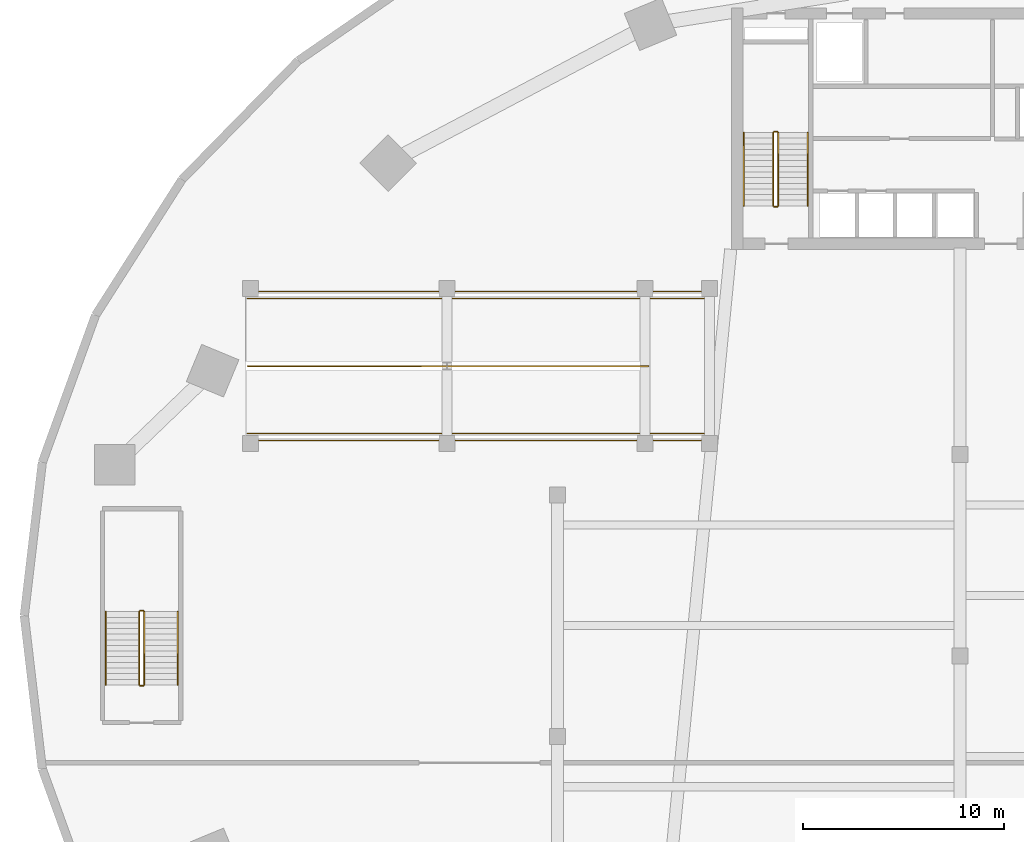
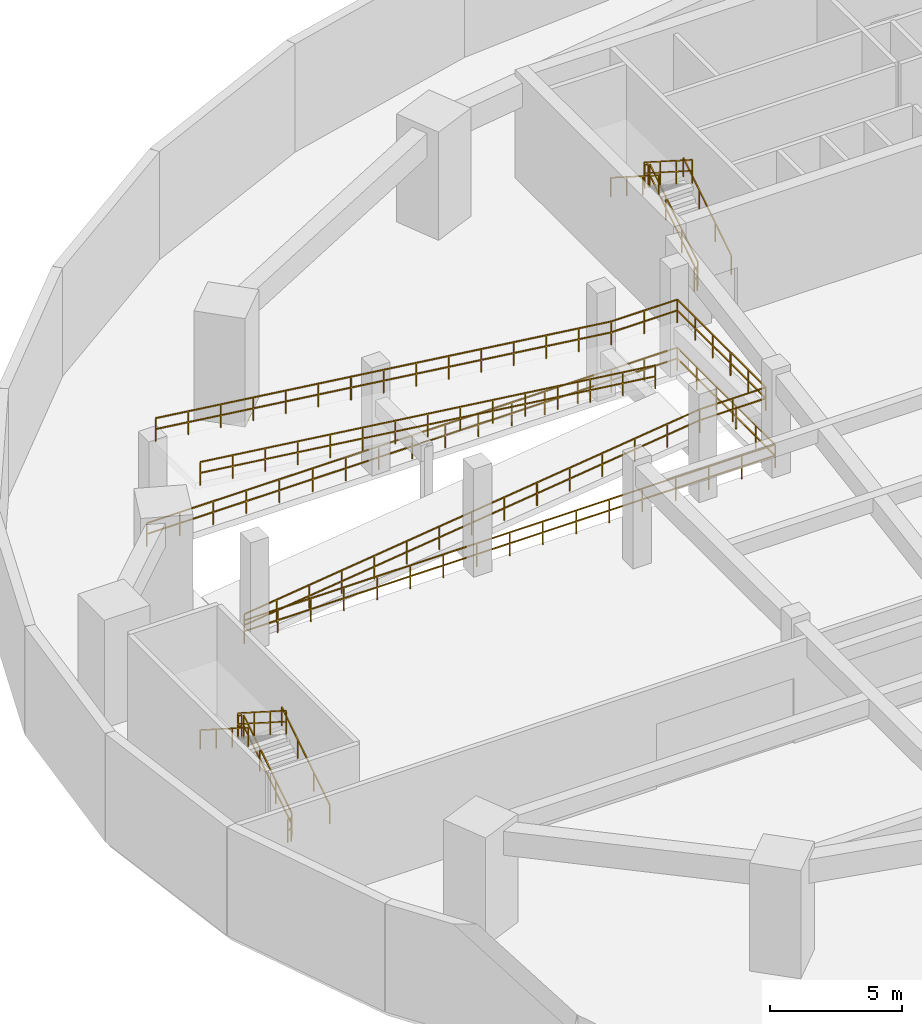
# One storey, part 9 of 10: 15 railings.
"""IFC4 building model written with IfcOpenShell, lengths in metres."""

from ifc_helpers import new_model, si_unit, direction, frame, origin, origin_2d, place, context, subcontext, project, spatial, rectangle, extrude, material, type_object, element, save


model = new_model("IFC4")

# Units and contexts
model_context = context("Model", 3, precision=1e-05, world=origin(), true_north=direction((0.0, 1.0)))
body_context = subcontext(model_context, "Body", "Model", "MODEL_VIEW")
ifc_project = project(units=[si_unit("LENGTHUNIT", "METRE"), si_unit("AREAUNIT", "SQUARE_METRE"), si_unit("VOLUMEUNIT", "CUBIC_METRE"), si_unit("PLANEANGLEUNIT", "RADIAN"), si_unit("MASSUNIT", "GRAM", prefix="KILO")], contexts=[model_context])

# Site, building, storey
site_placement = place(None, origin())
site = spatial("IfcSite", under=ifc_project, at=site_placement, CompositionType="ELEMENT")
building_placement = place(site_placement, origin())
building = spatial("IfcBuilding", under=site, at=building_placement, Name="Breltana Convention Tower", CompositionType="ELEMENT")
storey_placement = place(building_placement, frame((0.0, 0.0, -5.0)))
storey = spatial("IfcBuildingStorey", under=building, at=storey_placement, Name="B01", CompositionType="ELEMENT", Elevation=-5.0)

# Railings
ifc_material_1 = material(Name="Steel S275 Painted", Category="steel")
railing_type_1 = type_object("IfcRailingType", Name="RL-STAIR-GUARD-1100", PredefinedType="GUARDRAIL", material=ifc_material_1)
railing_1_placement = place(storey_placement, frame((38.9599609375, 62.360107421875, 0.178466796875)))
element("IfcRailing", 1, at=railing_1_placement, inside=storey, type_object=railing_type_1, Name="B01 ST-1 stair guard 1", PredefinedType="GUARDRAIL", context=body_context, shape_type="SweptSolid", body=[
    extrude(rectangle(XDim=0.048095703125, YDim=0.048095703125, at=origin_2d()), frame((0.0, 0.0, 1.076171875), z_axis=(0.0, 0.843111507901, 0.53773877045), x_axis=(-1.0, 0.0, 0.0)), (0.0, 0.0, 1.0), 4.317138671875),
    extrude(rectangle(XDim=0.048095703125, YDim=0.048095703125, at=origin_2d()), frame((0.0, 0.0, 0.572021484375), z_axis=(0.0, 0.843111507901, 0.53773877045), x_axis=(-1.0, 0.0, 0.0)), (0.0, 0.0, 1.0), 4.317138671875),
    extrude(rectangle(XDim=0.0419921875, YDim=0.0419921875, at=origin_2d()), origin(), (0.0, 0.0, 1.0), 1.052001953125),
    extrude(rectangle(XDim=0.0419921875, YDim=0.0419921875, at=origin_2d()), frame((0.0, 1.21337890625, 0.77392578125)), (0.0, 0.0, 1.0), 1.052001953125),
    extrude(rectangle(XDim=0.0419921875, YDim=0.0419921875, at=origin_2d()), frame((0.0, 2.426513671875, 1.547607421875)), (0.0, 0.0, 1.0), 1.052001953125),
    extrude(rectangle(XDim=0.0419921875, YDim=0.0419921875, at=origin_2d()), frame((0.0, 3.639892578125, 2.321533203125)), (0.0, 0.0, 1.0), 1.052001953125),
])
railing_2_placement = place(storey_placement, frame((38.909912109375, 66.050048828125, 2.5)))
element("IfcRailing", 2, at=railing_2_placement, inside=storey, type_object=railing_type_1, Name="B01 ST-1 stair guard 2", PredefinedType="GUARDRAIL", context=body_context, shape_type="SweptSolid", body=[
    extrude(rectangle(XDim=0.048095703125, YDim=0.048095703125, at=origin_2d()), frame((0.0, 0.0, 1.076171875), z_axis=(-1.0, 0.0, 0.0), x_axis=(0.0, -1.0, 0.0)), (0.0, 0.0, 1.0), 0.14990234375),
    extrude(rectangle(XDim=0.048095703125, YDim=0.048095703125, at=origin_2d()), frame((0.0, 0.0, 0.572021484375), z_axis=(-1.0, 0.0, 0.0), x_axis=(0.0, -1.0, 0.0)), (0.0, 0.0, 1.0), 0.14990234375),
    extrude(rectangle(XDim=0.0419921875, YDim=0.0419921875, at=origin_2d()), origin(), (0.0, 0.0, 1.0), 1.052001953125),
    extrude(rectangle(XDim=0.0419921875, YDim=0.0419921875, at=origin_2d()), frame((-0.14990234375, 0.0, 0.0)), (0.0, 0.0, 1.0), 1.052001953125),
])
railing_3_placement = place(storey_placement, frame((38.7099609375, 66.0, 2.678466796875)))
element("IfcRailing", 3, at=railing_3_placement, inside=storey, type_object=railing_type_1, Name="B01 ST-1 stair guard 3", PredefinedType="GUARDRAIL", context=body_context, shape_type="SweptSolid", body=[
    extrude(rectangle(XDim=0.048095703125, YDim=0.048095703125, at=origin_2d()), frame((0.0, 0.0, 1.076171875), z_axis=(0.0, -0.843111507901, 0.53773877045), x_axis=(1.0, 0.0, 0.0)), (0.0, 0.0, 1.0), 4.317138671875),
    extrude(rectangle(XDim=0.048095703125, YDim=0.048095703125, at=origin_2d()), frame((0.0, 0.0, 0.572021484375), z_axis=(0.0, -0.843111507901, 0.53773877045), x_axis=(1.0, 0.0, 0.0)), (0.0, 0.0, 1.0), 4.317138671875),
    extrude(rectangle(XDim=0.0419921875, YDim=0.0419921875, at=origin_2d()), origin(), (0.0, 0.0, 1.0), 1.052001953125),
    extrude(rectangle(XDim=0.0419921875, YDim=0.0419921875, at=origin_2d()), frame((0.0, -1.21337890625, 0.77392578125)), (0.0, 0.0, 1.0), 1.052001953125),
    extrude(rectangle(XDim=0.0419921875, YDim=0.0419921875, at=origin_2d()), frame((0.0, -2.426513671875, 1.547607421875)), (0.0, 0.0, 1.0), 1.052001953125),
    extrude(rectangle(XDim=0.0419921875, YDim=0.0419921875, at=origin_2d()), frame((0.0, -3.639892578125, 2.321533203125)), (0.0, 0.0, 1.0), 1.052001953125),
])
railing_4_placement = place(storey_placement, frame((38.909912109375, 62.31005859375, 0.0)))
element("IfcRailing", 4, at=railing_4_placement, inside=storey, type_object=railing_type_1, Name="B01 ST-1 stair guard 4", PredefinedType="GUARDRAIL", context=body_context, shape_type="SweptSolid", body=[
    extrude(rectangle(XDim=0.048095703125, YDim=0.048095703125, at=origin_2d()), frame((0.0, 0.0, 1.076171875), z_axis=(-1.0, 0.0, 0.0), x_axis=(0.0, -1.0, 0.0)), (0.0, 0.0, 1.0), 0.14990234375),
    extrude(rectangle(XDim=0.048095703125, YDim=0.048095703125, at=origin_2d()), frame((0.0, 0.0, 0.572021484375), z_axis=(-1.0, 0.0, 0.0), x_axis=(0.0, -1.0, 0.0)), (0.0, 0.0, 1.0), 0.14990234375),
    extrude(rectangle(XDim=0.0419921875, YDim=0.0419921875, at=origin_2d()), origin(), (0.0, 0.0, 1.0), 1.052001953125),
    extrude(rectangle(XDim=0.0419921875, YDim=0.0419921875, at=origin_2d()), frame((-0.14990234375, 0.0, 0.0)), (0.0, 0.0, 1.0), 1.052001953125),
])
railing_5_placement = place(storey_placement, frame((7.4599609375, 38.56005859375, 0.178466796875)))
element("IfcRailing", 5, at=railing_5_placement, inside=storey, type_object=railing_type_1, Name="B01 ST-3 stair guard 1", PredefinedType="GUARDRAIL", context=body_context, shape_type="SweptSolid", body=[
    extrude(rectangle(XDim=0.048095703125, YDim=0.048095703125, at=origin_2d()), frame((0.0, 0.0, 1.076171875), z_axis=(0.0, 0.843111507901, 0.53773877045), x_axis=(-1.0, 0.0, 0.0)), (0.0, 0.0, 1.0), 4.317138671875),
    extrude(rectangle(XDim=0.048095703125, YDim=0.048095703125, at=origin_2d()), frame((0.0, 0.0, 0.572021484375), z_axis=(0.0, 0.843111507901, 0.53773877045), x_axis=(-1.0, 0.0, 0.0)), (0.0, 0.0, 1.0), 4.317138671875),
    extrude(rectangle(XDim=0.0419921875, YDim=0.0419921875, at=origin_2d()), origin(), (0.0, 0.0, 1.0), 1.052001953125),
    extrude(rectangle(XDim=0.0419921875, YDim=0.0419921875, at=origin_2d()), frame((0.0, 1.21337890625, 0.77392578125)), (0.0, 0.0, 1.0), 1.052001953125),
    extrude(rectangle(XDim=0.0419921875, YDim=0.0419921875, at=origin_2d()), frame((0.0, 2.426513671875, 1.547607421875)), (0.0, 0.0, 1.0), 1.052001953125),
    extrude(rectangle(XDim=0.0419921875, YDim=0.0419921875, at=origin_2d()), frame((0.0, 3.639892578125, 2.321533203125)), (0.0, 0.0, 1.0), 1.052001953125),
])
railing_6_placement = place(storey_placement, frame((7.409912109375, 42.25, 2.5)))
element("IfcRailing", 6, at=railing_6_placement, inside=storey, type_object=railing_type_1, Name="B01 ST-3 stair guard 2", PredefinedType="GUARDRAIL", context=body_context, shape_type="SweptSolid", body=[
    extrude(rectangle(XDim=0.048095703125, YDim=0.048095703125, at=origin_2d()), frame((0.0, 0.0, 1.076171875), z_axis=(-1.0, 0.0, 0.0), x_axis=(0.0, -1.0, 0.0)), (0.0, 0.0, 1.0), 0.14990234375),
    extrude(rectangle(XDim=0.048095703125, YDim=0.048095703125, at=origin_2d()), frame((0.0, 0.0, 0.572021484375), z_axis=(-1.0, 0.0, 0.0), x_axis=(0.0, -1.0, 0.0)), (0.0, 0.0, 1.0), 0.14990234375),
    extrude(rectangle(XDim=0.0419921875, YDim=0.0419921875, at=origin_2d()), origin(), (0.0, 0.0, 1.0), 1.052001953125),
    extrude(rectangle(XDim=0.0419921875, YDim=0.0419921875, at=origin_2d()), frame((-0.14990234375, 0.0, 0.0)), (0.0, 0.0, 1.0), 1.052001953125),
])
railing_7_placement = place(storey_placement, frame((7.2099609375, 42.199951171875, 2.678466796875)))
element("IfcRailing", 7, at=railing_7_placement, inside=storey, type_object=railing_type_1, Name="B01 ST-3 stair guard 3", PredefinedType="GUARDRAIL", context=body_context, shape_type="SweptSolid", body=[
    extrude(rectangle(XDim=0.048095703125, YDim=0.048095703125, at=origin_2d()), frame((0.0, 0.0, 1.076171875), z_axis=(0.0, -0.843111507901, 0.53773877045), x_axis=(1.0, 0.0, 0.0)), (0.0, 0.0, 1.0), 4.317138671875),
    extrude(rectangle(XDim=0.048095703125, YDim=0.048095703125, at=origin_2d()), frame((0.0, 0.0, 0.572021484375), z_axis=(0.0, -0.843111507901, 0.53773877045), x_axis=(1.0, 0.0, 0.0)), (0.0, 0.0, 1.0), 4.317138671875),
    extrude(rectangle(XDim=0.0419921875, YDim=0.0419921875, at=origin_2d()), origin(), (0.0, 0.0, 1.0), 1.052001953125),
    extrude(rectangle(XDim=0.0419921875, YDim=0.0419921875, at=origin_2d()), frame((0.0, -1.21337890625, 0.77392578125)), (0.0, 0.0, 1.0), 1.052001953125),
    extrude(rectangle(XDim=0.0419921875, YDim=0.0419921875, at=origin_2d()), frame((0.0, -2.426513671875, 1.547607421875)), (0.0, 0.0, 1.0), 1.052001953125),
    extrude(rectangle(XDim=0.0419921875, YDim=0.0419921875, at=origin_2d()), frame((0.0, -3.639892578125, 2.321533203125)), (0.0, 0.0, 1.0), 1.052001953125),
])
railing_8_placement = place(storey_placement, frame((7.409912109375, 38.510009765625, 0.0)))
element("IfcRailing", 8, at=railing_8_placement, inside=storey, type_object=railing_type_1, Name="B01 ST-3 stair guard 4", PredefinedType="GUARDRAIL", context=body_context, shape_type="SweptSolid", body=[
    extrude(rectangle(XDim=0.048095703125, YDim=0.048095703125, at=origin_2d()), frame((0.0, 0.0, 1.076171875), z_axis=(-1.0, 0.0, 0.0), x_axis=(0.0, -1.0, 0.0)), (0.0, 0.0, 1.0), 0.14990234375),
    extrude(rectangle(XDim=0.048095703125, YDim=0.048095703125, at=origin_2d()), frame((0.0, 0.0, 0.572021484375), z_axis=(-1.0, 0.0, 0.0), x_axis=(0.0, -1.0, 0.0)), (0.0, 0.0, 1.0), 0.14990234375),
    extrude(rectangle(XDim=0.0419921875, YDim=0.0419921875, at=origin_2d()), origin(), (0.0, 0.0, 1.0), 1.052001953125),
    extrude(rectangle(XDim=0.0419921875, YDim=0.0419921875, at=origin_2d()), frame((-0.14990234375, 0.0, 0.0)), (0.0, 0.0, 1.0), 1.052001953125),
])
railing_9_placement = place(storey_placement, frame((12.60009765625, 54.39990234375, 5.0)))
element("IfcRailing", 9, at=railing_9_placement, inside=storey, type_object=railing_type_1, Name="B01 ramp center divider guardrail", PredefinedType="GUARDRAIL", context=body_context, shape_type="SweptSolid", body=[
    extrude(rectangle(XDim=0.048095703125, YDim=0.048095703125, at=origin_2d()), frame((0.0, 0.0, 1.076171875), z_axis=(0.992200904625, 0.0, -0.124648966548), x_axis=(0.0, 1.0, 0.0)), (0.0, 0.0, 1.0), 20.056396484375),
    extrude(rectangle(XDim=0.048095703125, YDim=0.048095703125, at=origin_2d()), frame((0.0, 0.0, 0.572021484375), z_axis=(0.992200904625, 0.0, -0.124648966548), x_axis=(0.0, 1.0, 0.0)), (0.0, 0.0, 1.0), 20.056396484375),
    extrude(rectangle(XDim=0.0419921875, YDim=0.0419921875, at=origin_2d()), origin(), (0.0, 0.0, 1.0), 1.052001953125),
    extrude(rectangle(XDim=0.0419921875, YDim=0.0419921875, at=origin_2d()), frame((1.42138671875, 0.0, -0.178466796875)), (0.0, 0.0, 1.0), 1.052001953125),
    extrude(rectangle(XDim=0.0419921875, YDim=0.0419921875, at=origin_2d()), frame((2.8427734375, 0.0, -0.357177734375)), (0.0, 0.0, 1.0), 1.052001953125),
    extrude(rectangle(XDim=0.0419921875, YDim=0.0419921875, at=origin_2d()), frame((4.26416015625, 0.0, -0.53564453125)), (0.0, 0.0, 1.0), 1.052001953125),
    extrude(rectangle(XDim=0.0419921875, YDim=0.0419921875, at=origin_2d()), frame((5.685791015625, 0.0, -0.71435546875)), (0.0, 0.0, 1.0), 1.052001953125),
    extrude(rectangle(XDim=0.0419921875, YDim=0.0419921875, at=origin_2d()), frame((7.107177734375, 0.0, -0.892822265625)), (0.0, 0.0, 1.0), 1.052001953125),
    extrude(rectangle(XDim=0.0419921875, YDim=0.0419921875, at=origin_2d()), frame((8.528564453125, 0.0, -1.071533203125)), (0.0, 0.0, 1.0), 1.052001953125),
    extrude(rectangle(XDim=0.0419921875, YDim=0.0419921875, at=origin_2d()), frame((9.949951171875, 0.0, -1.25)), (0.0, 0.0, 1.0), 1.052001953125),
    extrude(rectangle(XDim=0.0419921875, YDim=0.0419921875, at=origin_2d()), frame((11.371337890625, 0.0, -1.428466796875)), (0.0, 0.0, 1.0), 1.052001953125),
    extrude(rectangle(XDim=0.0419921875, YDim=0.0419921875, at=origin_2d()), frame((12.792724609375, 0.0, -1.607177734375)), (0.0, 0.0, 1.0), 1.052001953125),
    extrude(rectangle(XDim=0.0419921875, YDim=0.0419921875, at=origin_2d()), frame((14.214111328125, 0.0, -1.78564453125)), (0.0, 0.0, 1.0), 1.052001953125),
    extrude(rectangle(XDim=0.0419921875, YDim=0.0419921875, at=origin_2d()), frame((15.6357421875, 0.0, -1.96435546875)), (0.0, 0.0, 1.0), 1.052001953125),
    extrude(rectangle(XDim=0.0419921875, YDim=0.0419921875, at=origin_2d()), frame((17.05712890625, 0.0, -2.142822265625)), (0.0, 0.0, 1.0), 1.052001953125),
    extrude(rectangle(XDim=0.0419921875, YDim=0.0419921875, at=origin_2d()), frame((18.478515625, 0.0, -2.321533203125)), (0.0, 0.0, 1.0), 1.052001953125),
    extrude(rectangle(XDim=0.0419921875, YDim=0.0419921875, at=origin_2d()), frame((19.89990234375, 0.0, -2.5)), (0.0, 0.0, 1.0), 1.052001953125),
])
railing_10_placement = place(storey_placement, frame((12.60009765625, 57.75, 5.0)))
element("IfcRailing", 10, at=railing_10_placement, inside=storey, type_object=railing_type_1, Name="B01 ramp outer edge safety guardrail", PredefinedType="GUARDRAIL", context=body_context, shape_type="SweptSolid", body=[
    extrude(rectangle(XDim=0.048095703125, YDim=0.048095703125, at=origin_2d()), frame((0.0, 0.0, 1.076171875), z_axis=(0.992200904625, 0.0, -0.124648966548), x_axis=(0.0, 1.0, 0.0)), (0.0, 0.0, 1.0), 20.056396484375),
    extrude(rectangle(XDim=0.048095703125, YDim=0.048095703125, at=origin_2d()), frame((0.0, 0.0, 0.572021484375), z_axis=(0.992200904625, 0.0, -0.124648966548), x_axis=(0.0, 1.0, 0.0)), (0.0, 0.0, 1.0), 20.056396484375),
    extrude(rectangle(XDim=0.048095703125, YDim=0.048095703125, at=origin_2d()), frame((19.89990234375, 0.0, -1.423828125), z_axis=(1.0, 0.0, 0.0), x_axis=(0.0, 1.0, 0.0)), (0.0, 0.0, 1.0), 2.89990234375),
    extrude(rectangle(XDim=0.048095703125, YDim=0.048095703125, at=origin_2d()), frame((19.89990234375, 0.0, -1.927978515625), z_axis=(1.0, 0.0, 0.0), x_axis=(0.0, 1.0, 0.0)), (0.0, 0.0, 1.0), 2.89990234375),
    extrude(rectangle(XDim=0.048095703125, YDim=0.048095703125, at=origin_2d()), frame((22.7998046875, 0.0, -1.423828125), z_axis=(0.0, -1.0, 0.0), x_axis=(1.0, 0.0, 0.0)), (0.0, 0.0, 1.0), 6.699951171875),
    extrude(rectangle(XDim=0.048095703125, YDim=0.048095703125, at=origin_2d()), frame((22.7998046875, 0.0, -1.927978515625), z_axis=(0.0, -1.0, 0.0), x_axis=(1.0, 0.0, 0.0)), (0.0, 0.0, 1.0), 6.699951171875),
    extrude(rectangle(XDim=0.048095703125, YDim=0.048095703125, at=origin_2d()), frame((22.7998046875, -6.699951171875, -1.423828125), z_axis=(-1.0, 0.0, 0.0), x_axis=(0.0, -1.0, 0.0)), (0.0, 0.0, 1.0), 2.89990234375),
    extrude(rectangle(XDim=0.048095703125, YDim=0.048095703125, at=origin_2d()), frame((22.7998046875, -6.699951171875, -1.927978515625), z_axis=(-1.0, 0.0, 0.0), x_axis=(0.0, -1.0, 0.0)), (0.0, 0.0, 1.0), 2.89990234375),
    extrude(rectangle(XDim=0.048095703125, YDim=0.048095703125, at=origin_2d()), frame((19.89990234375, -6.699951171875, -1.423828125), z_axis=(-0.992200904625, 0.0, -0.124648966548), x_axis=(0.0, -1.0, 0.0)), (0.0, 0.0, 1.0), 20.056396484375),
    extrude(rectangle(XDim=0.048095703125, YDim=0.048095703125, at=origin_2d()), frame((19.89990234375, -6.699951171875, -1.927978515625), z_axis=(-0.992200904625, 0.0, -0.124648966548), x_axis=(0.0, -1.0, 0.0)), (0.0, 0.0, 1.0), 20.056396484375),
    extrude(rectangle(XDim=0.0419921875, YDim=0.0419921875, at=origin_2d()), origin(), (0.0, 0.0, 1.0), 1.052001953125),
    extrude(rectangle(XDim=0.0419921875, YDim=0.0419921875, at=origin_2d()), frame((1.42138671875, 0.0, -0.178466796875)), (0.0, 0.0, 1.0), 1.052001953125),
    extrude(rectangle(XDim=0.0419921875, YDim=0.0419921875, at=origin_2d()), frame((2.8427734375, 0.0, -0.357177734375)), (0.0, 0.0, 1.0), 1.052001953125),
    extrude(rectangle(XDim=0.0419921875, YDim=0.0419921875, at=origin_2d()), frame((4.26416015625, 0.0, -0.53564453125)), (0.0, 0.0, 1.0), 1.052001953125),
    extrude(rectangle(XDim=0.0419921875, YDim=0.0419921875, at=origin_2d()), frame((5.685791015625, 0.0, -0.71435546875)), (0.0, 0.0, 1.0), 1.052001953125),
    extrude(rectangle(XDim=0.0419921875, YDim=0.0419921875, at=origin_2d()), frame((7.107177734375, 0.0, -0.892822265625)), (0.0, 0.0, 1.0), 1.052001953125),
    extrude(rectangle(XDim=0.0419921875, YDim=0.0419921875, at=origin_2d()), frame((8.528564453125, 0.0, -1.071533203125)), (0.0, 0.0, 1.0), 1.052001953125),
    extrude(rectangle(XDim=0.0419921875, YDim=0.0419921875, at=origin_2d()), frame((9.949951171875, 0.0, -1.25)), (0.0, 0.0, 1.0), 1.052001953125),
    extrude(rectangle(XDim=0.0419921875, YDim=0.0419921875, at=origin_2d()), frame((11.371337890625, 0.0, -1.428466796875)), (0.0, 0.0, 1.0), 1.052001953125),
    extrude(rectangle(XDim=0.0419921875, YDim=0.0419921875, at=origin_2d()), frame((12.792724609375, 0.0, -1.607177734375)), (0.0, 0.0, 1.0), 1.052001953125),
    extrude(rectangle(XDim=0.0419921875, YDim=0.0419921875, at=origin_2d()), frame((14.214111328125, 0.0, -1.78564453125)), (0.0, 0.0, 1.0), 1.052001953125),
    extrude(rectangle(XDim=0.0419921875, YDim=0.0419921875, at=origin_2d()), frame((15.6357421875, 0.0, -1.96435546875)), (0.0, 0.0, 1.0), 1.052001953125),
    extrude(rectangle(XDim=0.0419921875, YDim=0.0419921875, at=origin_2d()), frame((17.05712890625, 0.0, -2.142822265625)), (0.0, 0.0, 1.0), 1.052001953125),
    extrude(rectangle(XDim=0.0419921875, YDim=0.0419921875, at=origin_2d()), frame((18.478515625, 0.0, -2.321533203125)), (0.0, 0.0, 1.0), 1.052001953125),
    extrude(rectangle(XDim=0.0419921875, YDim=0.0419921875, at=origin_2d()), frame((19.89990234375, 0.0, -2.5)), (0.0, 0.0, 1.0), 1.052001953125),
    extrude(rectangle(XDim=0.0419921875, YDim=0.0419921875, at=origin_2d()), frame((21.349853515625, 0.0, -2.5)), (0.0, 0.0, 1.0), 1.052001953125),
    extrude(rectangle(XDim=0.0419921875, YDim=0.0419921875, at=origin_2d()), frame((22.7998046875, 0.0, -2.5)), (0.0, 0.0, 1.0), 1.052001953125),
    extrude(rectangle(XDim=0.0419921875, YDim=0.0419921875, at=origin_2d()), frame((22.7998046875, -1.340087890625, -2.5)), (0.0, 0.0, 1.0), 1.052001953125),
    extrude(rectangle(XDim=0.0419921875, YDim=0.0419921875, at=origin_2d()), frame((22.7998046875, -2.679931640625, -2.5)), (0.0, 0.0, 1.0), 1.052001953125),
    extrude(rectangle(XDim=0.0419921875, YDim=0.0419921875, at=origin_2d()), frame((22.7998046875, -4.02001953125, -2.5)), (0.0, 0.0, 1.0), 1.052001953125),
    extrude(rectangle(XDim=0.0419921875, YDim=0.0419921875, at=origin_2d()), frame((22.7998046875, -5.35986328125, -2.5)), (0.0, 0.0, 1.0), 1.052001953125),
    extrude(rectangle(XDim=0.0419921875, YDim=0.0419921875, at=origin_2d()), frame((22.7998046875, -6.699951171875, -2.5)), (0.0, 0.0, 1.0), 1.052001953125),
    extrude(rectangle(XDim=0.0419921875, YDim=0.0419921875, at=origin_2d()), frame((21.349853515625, -6.699951171875, -2.5)), (0.0, 0.0, 1.0), 1.052001953125),
    extrude(rectangle(XDim=0.0419921875, YDim=0.0419921875, at=origin_2d()), frame((19.89990234375, -6.699951171875, -2.5)), (0.0, 0.0, 1.0), 1.052001953125),
    extrude(rectangle(XDim=0.0419921875, YDim=0.0419921875, at=origin_2d()), frame((18.478515625, -6.699951171875, -2.678466796875)), (0.0, 0.0, 1.0), 1.052001953125),
    extrude(rectangle(XDim=0.0419921875, YDim=0.0419921875, at=origin_2d()), frame((17.05712890625, -6.699951171875, -2.857177734375)), (0.0, 0.0, 1.0), 1.052001953125),
    extrude(rectangle(XDim=0.0419921875, YDim=0.0419921875, at=origin_2d()), frame((15.6357421875, -6.699951171875, -3.03564453125)), (0.0, 0.0, 1.0), 1.052001953125),
    extrude(rectangle(XDim=0.0419921875, YDim=0.0419921875, at=origin_2d()), frame((14.214111328125, -6.699951171875, -3.21435546875)), (0.0, 0.0, 1.0), 1.052001953125),
    extrude(rectangle(XDim=0.0419921875, YDim=0.0419921875, at=origin_2d()), frame((12.792724609375, -6.699951171875, -3.392822265625)), (0.0, 0.0, 1.0), 1.052001953125),
    extrude(rectangle(XDim=0.0419921875, YDim=0.0419921875, at=origin_2d()), frame((11.371337890625, -6.699951171875, -3.571533203125)), (0.0, 0.0, 1.0), 1.052001953125),
    extrude(rectangle(XDim=0.0419921875, YDim=0.0419921875, at=origin_2d()), frame((9.949951171875, -6.699951171875, -3.75)), (0.0, 0.0, 1.0), 1.052001953125),
    extrude(rectangle(XDim=0.0419921875, YDim=0.0419921875, at=origin_2d()), frame((8.528564453125, -6.699951171875, -3.928466796875)), (0.0, 0.0, 1.0), 1.052001953125),
    extrude(rectangle(XDim=0.0419921875, YDim=0.0419921875, at=origin_2d()), frame((7.107177734375, -6.699951171875, -4.107177734375)), (0.0, 0.0, 1.0), 1.052001953125),
    extrude(rectangle(XDim=0.0419921875, YDim=0.0419921875, at=origin_2d()), frame((5.685791015625, -6.699951171875, -4.28564453125)), (0.0, 0.0, 1.0), 1.052001953125),
    extrude(rectangle(XDim=0.0419921875, YDim=0.0419921875, at=origin_2d()), frame((4.26416015625, -6.699951171875, -4.46435546875)), (0.0, 0.0, 1.0), 1.052001953125),
    extrude(rectangle(XDim=0.0419921875, YDim=0.0419921875, at=origin_2d()), frame((2.8427734375, -6.699951171875, -4.642822265625)), (0.0, 0.0, 1.0), 1.052001953125),
    extrude(rectangle(XDim=0.0419921875, YDim=0.0419921875, at=origin_2d()), frame((1.42138671875, -6.699951171875, -4.821533203125)), (0.0, 0.0, 1.0), 1.052001953125),
    extrude(rectangle(XDim=0.0419921875, YDim=0.0419921875, at=origin_2d()), frame((0.0, -6.699951171875, -5.0)), (0.0, 0.0, 1.0), 1.052001953125),
])
railing_11_placement = place(storey_placement, frame((12.39990234375, 50.699951171875, 0.0)))
element("IfcRailing", 11, at=railing_11_placement, inside=storey, type_object=railing_type_1, Name="B01 ramp opening perimeter guardrail", PredefinedType="GUARDRAIL", context=body_context, shape_type="SweptSolid", body=[
    extrude(rectangle(XDim=0.048095703125, YDim=0.048095703125, at=origin_2d()), frame((0.0, 0.0, 1.076171875), z_axis=(1.0, 0.0, 0.0), x_axis=(0.0, 1.0, 0.0)), (0.0, 0.0, 1.0), 23.2001953125),
    extrude(rectangle(XDim=0.048095703125, YDim=0.048095703125, at=origin_2d()), frame((0.0, 0.0, 0.572021484375), z_axis=(1.0, 0.0, 0.0), x_axis=(0.0, 1.0, 0.0)), (0.0, 0.0, 1.0), 23.2001953125),
    extrude(rectangle(XDim=0.048095703125, YDim=0.048095703125, at=origin_2d()), frame((23.2001953125, 0.0, 1.076171875), z_axis=(0.0, 1.0, 0.0), x_axis=(-1.0, 0.0, 0.0)), (0.0, 0.0, 1.0), 7.400146484375),
    extrude(rectangle(XDim=0.048095703125, YDim=0.048095703125, at=origin_2d()), frame((23.2001953125, 0.0, 0.572021484375), z_axis=(0.0, 1.0, 0.0), x_axis=(-1.0, 0.0, 0.0)), (0.0, 0.0, 1.0), 7.400146484375),
    extrude(rectangle(XDim=0.048095703125, YDim=0.048095703125, at=origin_2d()), frame((23.2001953125, 7.400146484375, 1.076171875), z_axis=(-1.0, 0.0, 0.0), x_axis=(0.0, -1.0, 0.0)), (0.0, 0.0, 1.0), 23.2001953125),
    extrude(rectangle(XDim=0.048095703125, YDim=0.048095703125, at=origin_2d()), frame((23.2001953125, 7.400146484375, 0.572021484375), z_axis=(-1.0, 0.0, 0.0), x_axis=(0.0, -1.0, 0.0)), (0.0, 0.0, 1.0), 23.2001953125),
    extrude(rectangle(XDim=0.0419921875, YDim=0.0419921875, at=origin_2d()), origin(), (0.0, 0.0, 1.0), 1.052001953125),
    extrude(rectangle(XDim=0.0419921875, YDim=0.0419921875, at=origin_2d()), frame((1.449951171875, 0.0, 0.0)), (0.0, 0.0, 1.0), 1.052001953125),
    extrude(rectangle(XDim=0.0419921875, YDim=0.0419921875, at=origin_2d()), frame((2.89990234375, 0.0, 0.0)), (0.0, 0.0, 1.0), 1.052001953125),
    extrude(rectangle(XDim=0.0419921875, YDim=0.0419921875, at=origin_2d()), frame((4.35009765625, 0.0, 0.0)), (0.0, 0.0, 1.0), 1.052001953125),
    extrude(rectangle(XDim=0.0419921875, YDim=0.0419921875, at=origin_2d()), frame((5.800048828125, 0.0, 0.0)), (0.0, 0.0, 1.0), 1.052001953125),
    extrude(rectangle(XDim=0.0419921875, YDim=0.0419921875, at=origin_2d()), frame((7.25, 0.0, 0.0)), (0.0, 0.0, 1.0), 1.052001953125),
    extrude(rectangle(XDim=0.0419921875, YDim=0.0419921875, at=origin_2d()), frame((8.7001953125, 0.0, 0.0)), (0.0, 0.0, 1.0), 1.052001953125),
    extrude(rectangle(XDim=0.0419921875, YDim=0.0419921875, at=origin_2d()), frame((10.150146484375, 0.0, 0.0)), (0.0, 0.0, 1.0), 1.052001953125),
    extrude(rectangle(XDim=0.0419921875, YDim=0.0419921875, at=origin_2d()), frame((11.60009765625, 0.0, 0.0)), (0.0, 0.0, 1.0), 1.052001953125),
    extrude(rectangle(XDim=0.0419921875, YDim=0.0419921875, at=origin_2d()), frame((13.050048828125, 0.0, 0.0)), (0.0, 0.0, 1.0), 1.052001953125),
    extrude(rectangle(XDim=0.0419921875, YDim=0.0419921875, at=origin_2d()), frame((14.5, 0.0, 0.0)), (0.0, 0.0, 1.0), 1.052001953125),
    extrude(rectangle(XDim=0.0419921875, YDim=0.0419921875, at=origin_2d()), frame((15.9501953125, 0.0, 0.0)), (0.0, 0.0, 1.0), 1.052001953125),
    extrude(rectangle(XDim=0.0419921875, YDim=0.0419921875, at=origin_2d()), frame((17.400146484375, 0.0, 0.0)), (0.0, 0.0, 1.0), 1.052001953125),
    extrude(rectangle(XDim=0.0419921875, YDim=0.0419921875, at=origin_2d()), frame((18.85009765625, 0.0, 0.0)), (0.0, 0.0, 1.0), 1.052001953125),
    extrude(rectangle(XDim=0.0419921875, YDim=0.0419921875, at=origin_2d()), frame((20.30029296875, 0.0, 0.0)), (0.0, 0.0, 1.0), 1.052001953125),
    extrude(rectangle(XDim=0.0419921875, YDim=0.0419921875, at=origin_2d()), frame((21.750244140625, 0.0, 0.0)), (0.0, 0.0, 1.0), 1.052001953125),
    extrude(rectangle(XDim=0.0419921875, YDim=0.0419921875, at=origin_2d()), frame((23.2001953125, 0.0, 0.0)), (0.0, 0.0, 1.0), 1.052001953125),
    extrude(rectangle(XDim=0.0419921875, YDim=0.0419921875, at=origin_2d()), frame((23.2001953125, 1.47998046875, 0.0)), (0.0, 0.0, 1.0), 1.052001953125),
    extrude(rectangle(XDim=0.0419921875, YDim=0.0419921875, at=origin_2d()), frame((23.2001953125, 2.9599609375, 0.0)), (0.0, 0.0, 1.0), 1.052001953125),
    extrude(rectangle(XDim=0.0419921875, YDim=0.0419921875, at=origin_2d()), frame((23.2001953125, 4.440185546875, 0.0)), (0.0, 0.0, 1.0), 1.052001953125),
    extrude(rectangle(XDim=0.0419921875, YDim=0.0419921875, at=origin_2d()), frame((23.2001953125, 5.920166015625, 0.0)), (0.0, 0.0, 1.0), 1.052001953125),
    extrude(rectangle(XDim=0.0419921875, YDim=0.0419921875, at=origin_2d()), frame((23.2001953125, 7.400146484375, 0.0)), (0.0, 0.0, 1.0), 1.052001953125),
    extrude(rectangle(XDim=0.0419921875, YDim=0.0419921875, at=origin_2d()), frame((21.750244140625, 7.400146484375, 0.0)), (0.0, 0.0, 1.0), 1.052001953125),
    extrude(rectangle(XDim=0.0419921875, YDim=0.0419921875, at=origin_2d()), frame((20.30029296875, 7.400146484375, 0.0)), (0.0, 0.0, 1.0), 1.052001953125),
    extrude(rectangle(XDim=0.0419921875, YDim=0.0419921875, at=origin_2d()), frame((18.85009765625, 7.400146484375, 0.0)), (0.0, 0.0, 1.0), 1.052001953125),
    extrude(rectangle(XDim=0.0419921875, YDim=0.0419921875, at=origin_2d()), frame((17.400146484375, 7.400146484375, 0.0)), (0.0, 0.0, 1.0), 1.052001953125),
    extrude(rectangle(XDim=0.0419921875, YDim=0.0419921875, at=origin_2d()), frame((15.9501953125, 7.400146484375, 0.0)), (0.0, 0.0, 1.0), 1.052001953125),
    extrude(rectangle(XDim=0.0419921875, YDim=0.0419921875, at=origin_2d()), frame((14.5, 7.400146484375, 0.0)), (0.0, 0.0, 1.0), 1.052001953125),
    extrude(rectangle(XDim=0.0419921875, YDim=0.0419921875, at=origin_2d()), frame((13.050048828125, 7.400146484375, 0.0)), (0.0, 0.0, 1.0), 1.052001953125),
    extrude(rectangle(XDim=0.0419921875, YDim=0.0419921875, at=origin_2d()), frame((11.60009765625, 7.400146484375, 0.0)), (0.0, 0.0, 1.0), 1.052001953125),
    extrude(rectangle(XDim=0.0419921875, YDim=0.0419921875, at=origin_2d()), frame((10.150146484375, 7.400146484375, 0.0)), (0.0, 0.0, 1.0), 1.052001953125),
    extrude(rectangle(XDim=0.0419921875, YDim=0.0419921875, at=origin_2d()), frame((8.7001953125, 7.400146484375, 0.0)), (0.0, 0.0, 1.0), 1.052001953125),
    extrude(rectangle(XDim=0.0419921875, YDim=0.0419921875, at=origin_2d()), frame((7.25, 7.400146484375, 0.0)), (0.0, 0.0, 1.0), 1.052001953125),
    extrude(rectangle(XDim=0.0419921875, YDim=0.0419921875, at=origin_2d()), frame((5.800048828125, 7.400146484375, 0.0)), (0.0, 0.0, 1.0), 1.052001953125),
    extrude(rectangle(XDim=0.0419921875, YDim=0.0419921875, at=origin_2d()), frame((4.35009765625, 7.400146484375, 0.0)), (0.0, 0.0, 1.0), 1.052001953125),
    extrude(rectangle(XDim=0.0419921875, YDim=0.0419921875, at=origin_2d()), frame((2.89990234375, 7.400146484375, 0.0)), (0.0, 0.0, 1.0), 1.052001953125),
    extrude(rectangle(XDim=0.0419921875, YDim=0.0419921875, at=origin_2d()), frame((1.449951171875, 7.400146484375, 0.0)), (0.0, 0.0, 1.0), 1.052001953125),
    extrude(rectangle(XDim=0.0419921875, YDim=0.0419921875, at=origin_2d()), frame((0.0, 7.400146484375, 0.0)), (0.0, 0.0, 1.0), 1.052001953125),
])
ifc_material_2 = material(Name="Stainless Steel 316L", Category="steel")
railing_type_2 = type_object("IfcRailingType", Name="RL-STAIR-HANDRAIL-900", PredefinedType="HANDRAIL", material=ifc_material_2)
railing_12_placement = place(storey_placement, frame((40.419921875, 62.360107421875, 0.178466796875)))
element("IfcRailing", 12, at=railing_12_placement, inside=storey, type_object=railing_type_2, Name="B01 ST-1 stair handrail 1", PredefinedType="HANDRAIL", context=body_context, shape_type="SweptSolid", body=[
    extrude(rectangle(XDim=0.048095703125, YDim=0.048095703125, at=origin_2d()), frame((0.0, 0.0, 0.8759765625), z_axis=(0.0, 0.843111507901, 0.53773877045), x_axis=(-1.0, 0.0, 0.0)), (0.0, 0.0, 1.0), 4.317138671875),
    extrude(rectangle(XDim=0.0419921875, YDim=0.0419921875, at=origin_2d()), origin(), (0.0, 0.0, 1.0), 0.851806640625),
    extrude(rectangle(XDim=0.0419921875, YDim=0.0419921875, at=origin_2d()), frame((0.0, 1.21337890625, 0.77392578125)), (0.0, 0.0, 1.0), 0.851806640625),
    extrude(rectangle(XDim=0.0419921875, YDim=0.0419921875, at=origin_2d()), frame((0.0, 2.426513671875, 1.547607421875)), (0.0, 0.0, 1.0), 0.851806640625),
    extrude(rectangle(XDim=0.0419921875, YDim=0.0419921875, at=origin_2d()), frame((0.0, 3.639892578125, 2.321533203125)), (0.0, 0.0, 1.0), 0.851806640625),
])
railing_13_placement = place(storey_placement, frame((37.25, 66.0, 2.678466796875)))
element("IfcRailing", 13, at=railing_13_placement, inside=storey, type_object=railing_type_2, Name="B01 ST-1 stair handrail 2", PredefinedType="HANDRAIL", context=body_context, shape_type="SweptSolid", body=[
    extrude(rectangle(XDim=0.048095703125, YDim=0.048095703125, at=origin_2d()), frame((0.0, 0.0, 0.8759765625), z_axis=(0.0, -0.843111507901, 0.53773877045), x_axis=(1.0, 0.0, 0.0)), (0.0, 0.0, 1.0), 4.317138671875),
    extrude(rectangle(XDim=0.0419921875, YDim=0.0419921875, at=origin_2d()), origin(), (0.0, 0.0, 1.0), 0.851806640625),
    extrude(rectangle(XDim=0.0419921875, YDim=0.0419921875, at=origin_2d()), frame((0.0, -1.21337890625, 0.77392578125)), (0.0, 0.0, 1.0), 0.851806640625),
    extrude(rectangle(XDim=0.0419921875, YDim=0.0419921875, at=origin_2d()), frame((0.0, -2.426513671875, 1.547607421875)), (0.0, 0.0, 1.0), 0.851806640625),
    extrude(rectangle(XDim=0.0419921875, YDim=0.0419921875, at=origin_2d()), frame((0.0, -3.639892578125, 2.321533203125)), (0.0, 0.0, 1.0), 0.851806640625),
])
railing_14_placement = place(storey_placement, frame((9.1201171875, 38.56005859375, 0.178466796875)))
element("IfcRailing", 14, at=railing_14_placement, inside=storey, type_object=railing_type_2, Name="B01 ST-3 stair handrail 1", PredefinedType="HANDRAIL", context=body_context, shape_type="SweptSolid", body=[
    extrude(rectangle(XDim=0.048095703125, YDim=0.048095703125, at=origin_2d()), frame((0.0, 0.0, 0.8759765625), z_axis=(0.0, 0.843111507901, 0.53773877045), x_axis=(-1.0, 0.0, 0.0)), (0.0, 0.0, 1.0), 4.317138671875),
    extrude(rectangle(XDim=0.0419921875, YDim=0.0419921875, at=origin_2d()), origin(), (0.0, 0.0, 1.0), 0.851806640625),
    extrude(rectangle(XDim=0.0419921875, YDim=0.0419921875, at=origin_2d()), frame((0.0, 1.21337890625, 0.77392578125)), (0.0, 0.0, 1.0), 0.851806640625),
    extrude(rectangle(XDim=0.0419921875, YDim=0.0419921875, at=origin_2d()), frame((0.0, 2.426513671875, 1.547607421875)), (0.0, 0.0, 1.0), 0.851806640625),
    extrude(rectangle(XDim=0.0419921875, YDim=0.0419921875, at=origin_2d()), frame((0.0, 3.639892578125, 2.321533203125)), (0.0, 0.0, 1.0), 0.851806640625),
])
railing_15_placement = place(storey_placement, frame((5.550048828125, 42.199951171875, 2.678466796875)))
element("IfcRailing", 15, at=railing_15_placement, inside=storey, type_object=railing_type_2, Name="B01 ST-3 stair handrail 2", PredefinedType="HANDRAIL", context=body_context, shape_type="SweptSolid", body=[
    extrude(rectangle(XDim=0.048095703125, YDim=0.048095703125, at=origin_2d()), frame((0.0, 0.0, 0.8759765625), z_axis=(0.0, -0.843111507901, 0.53773877045), x_axis=(1.0, 0.0, 0.0)), (0.0, 0.0, 1.0), 4.317138671875),
    extrude(rectangle(XDim=0.0419921875, YDim=0.0419921875, at=origin_2d()), origin(), (0.0, 0.0, 1.0), 0.851806640625),
    extrude(rectangle(XDim=0.0419921875, YDim=0.0419921875, at=origin_2d()), frame((0.0, -1.21337890625, 0.77392578125)), (0.0, 0.0, 1.0), 0.851806640625),
    extrude(rectangle(XDim=0.0419921875, YDim=0.0419921875, at=origin_2d()), frame((0.0, -2.426513671875, 1.547607421875)), (0.0, 0.0, 1.0), 0.851806640625),
    extrude(rectangle(XDim=0.0419921875, YDim=0.0419921875, at=origin_2d()), frame((0.0, -3.639892578125, 2.321533203125)), (0.0, 0.0, 1.0), 0.851806640625),
])

save(model, "model.ifc")
